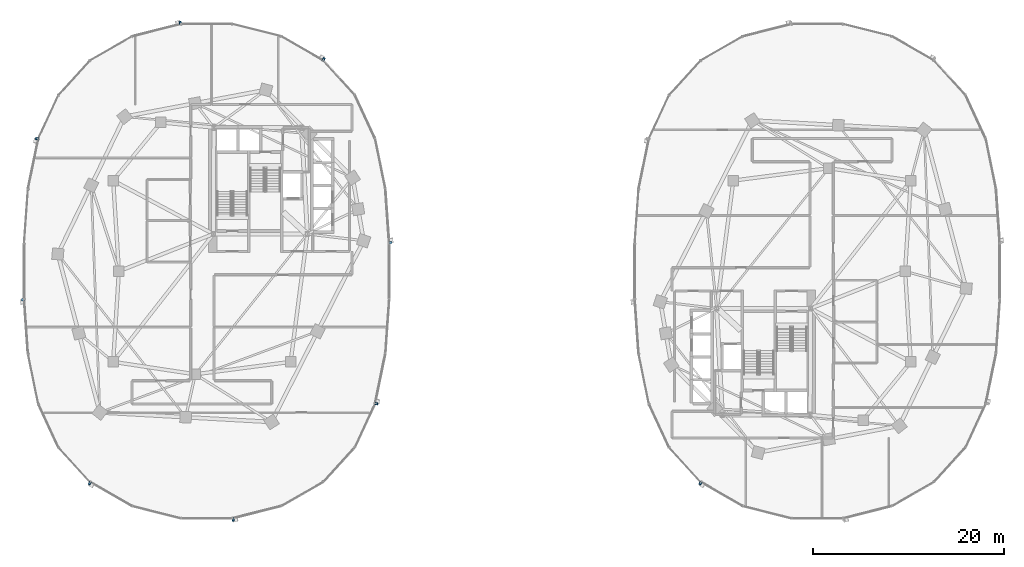
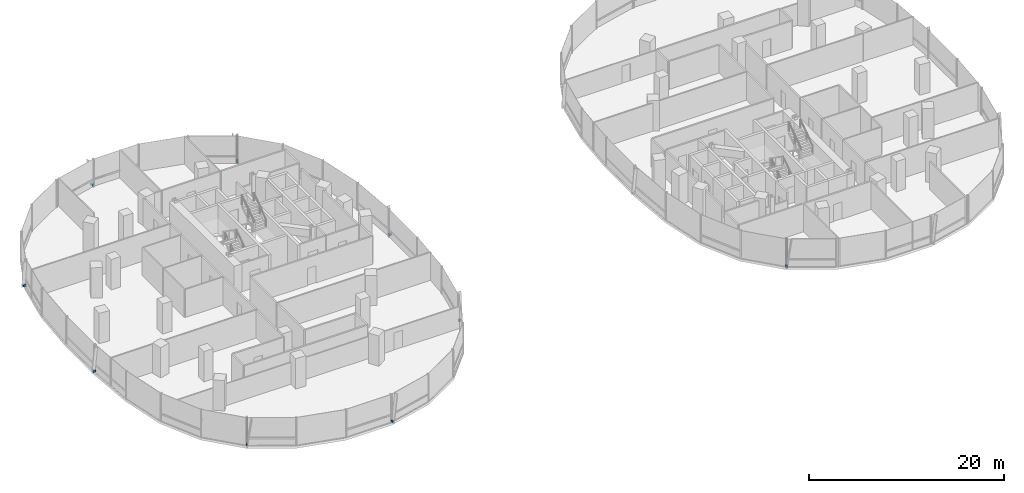
# One storey, part 15 of 21: 9 discrete accessories.
"""IFC4 building model written with IfcOpenShell, lengths in metres."""

from ifc_helpers import new_model, si_unit, direction, frame, origin, origin_2d, place, context, subcontext, project, spatial, rectangle, extrude, material, type_object, element, save


model = new_model("IFC4")

# Units and contexts
model_context = context("Model", 3, precision=1e-05, world=origin(), true_north=direction((0.0, 1.0)))
body_context = subcontext(model_context, "Body", "Model", "MODEL_VIEW")
ifc_project = project(units=[si_unit("LENGTHUNIT", "METRE"), si_unit("AREAUNIT", "SQUARE_METRE"), si_unit("VOLUMEUNIT", "CUBIC_METRE"), si_unit("PLANEANGLEUNIT", "RADIAN"), si_unit("MASSUNIT", "GRAM", prefix="KILO"), si_unit("THERMODYNAMICTEMPERATUREUNIT", "KELVIN"), si_unit("POWERUNIT", "WATT")], contexts=[model_context])

# Site, building, storey
site_placement = place(None, origin())
site = spatial("IfcSite", under=ifc_project, at=site_placement, CompositionType="ELEMENT")
building_placement = place(site_placement, origin())
building = spatial("IfcBuilding", under=site, at=building_placement, Name="Cundina Bronze Exchange", CompositionType="ELEMENT")
storey_placement = place(building_placement, frame((0.0, 0.0, 65.800048828125)))
storey = spatial("IfcBuildingStorey", under=building, at=storey_placement, Name="L16", CompositionType="ELEMENT", Elevation=65.800048828125)

# Discrete accessories
ifc_material = material(Name="Anodised Bronze Aluminium 6063-T6", Category="aluminium")
discrete_accessory_type = type_object("IfcDiscreteAccessoryType", Name="ACC-BRK-FIN", PredefinedType="BRACKET", material=ifc_material)
for number, where, z_axis, x_axis, name in (
    (1, (-12.735595703125, 2.986083984375, 0.10009765625), (0.0, 0.0, 1.0), (-0.070278787473, 0.997527389113, 0.0), "L16 Fin Support Bracket 1"),
    (2, (-19.740478515625, 22.21875, 0.10009765625), (0.0, 0.0, 1.0), (-0.867105478933, 0.498124571171, 0.0), "L16 Fin Support Bracket 5"),
    (3, (-34.76025390625, 26.03173828125, 0.10009765625), (0.0, 0.0, 1.0), (-0.969488149345, -0.245138182011, 0.0), "L16 Fin Support Bracket 1"),
    (4, (-49.788330078125, 13.8896484375, 0.10009765625), (0.0, 0.0, 1.0), (-0.201419845156, -0.979505000486, 0.0), "L16 Fin Support Bracket 5"),
    (5, (-51.264404296875, -2.986083984375, 0.10009765625), (0.0, 0.0, 1.0), (0.070278787473, -0.997527389113, 0.0), "L16 Fin Support Bracket 1"),
    (6, (-44.259521484375, -22.21875, 0.10009765625), (0.0, 0.0, 1.0), (0.867105478933, -0.498124571171, 0.0), "L16 Fin Support Bracket 5"),
    (7, (-29.23974609375, -26.03173828125, 0.10009765625), (0.0, 0.0, 1.0), (0.969488149345, 0.245138182011, 0.0), "L16 Fin Support Bracket 1"),
    (8, (-14.211669921875, -13.8896484375, 0.10009765625), (0.0, 0.0, 1.0), (0.201419845156, 0.979505000486, 0.0), "L16 Fin Support Bracket 5"),
    (9, (19.740478515625, -22.21875, 0.10009765625), (0.0, 0.0, 1.0), (0.867105478933, -0.498124571171, 0.0), "L16 Fin Support Bracket 5"),
):
    element("IfcDiscreteAccessory", number, at=place(storey_placement, frame(where, z_axis=z_axis, x_axis=x_axis)), inside=storey, type_object=discrete_accessory_type, Name=name, PredefinedType="BRACKET", context=body_context, shape_type="SweptSolid", body=[
        extrude(rectangle(XDim=0.219970703125, YDim=0.320068359375, at=origin_2d()), origin(), (0.0, 0.0, 1.0), 0.239990234375),
    ])

save(model, "model.ifc")
